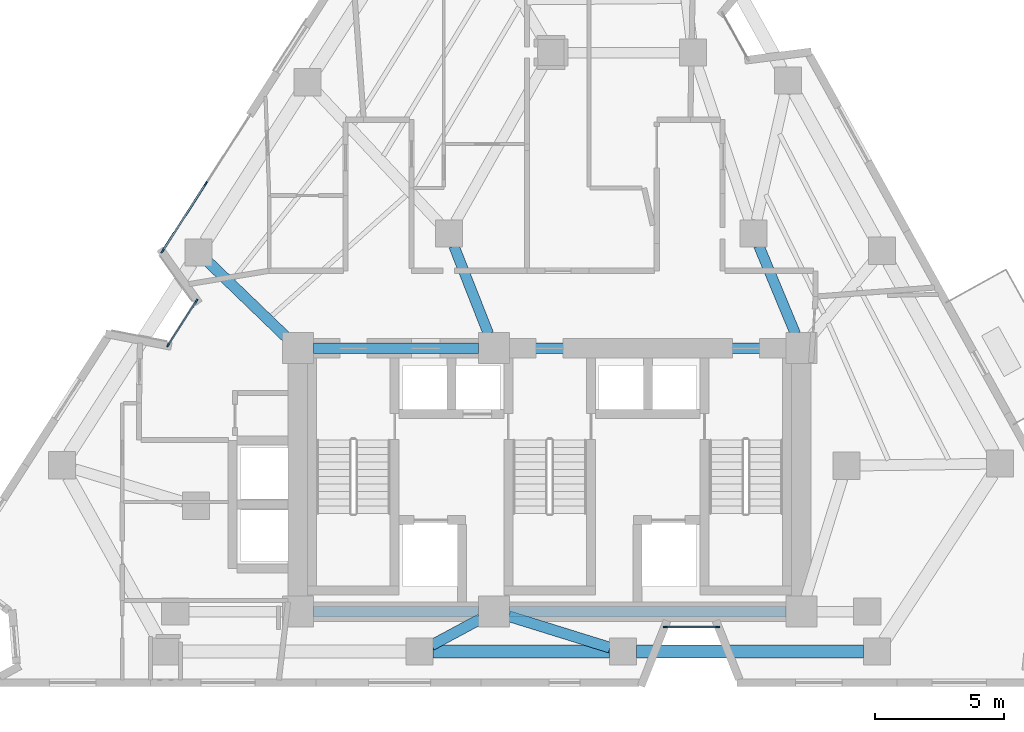
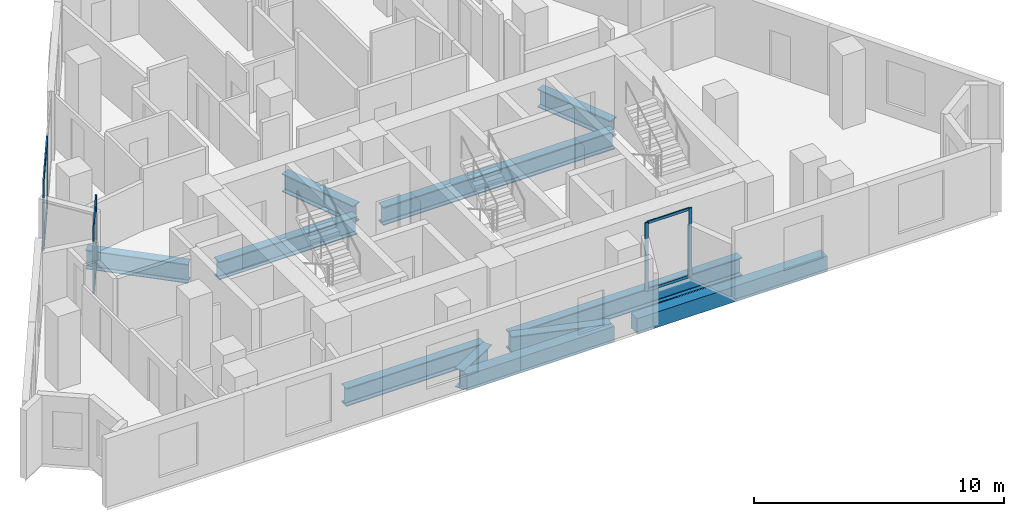
# One storey, part 2 of 11: 12 members, 11 beams, 3 elements without a shape of their own.
"""IFC4 building model written with IfcOpenShell, lengths in metres."""

from ifc_helpers import new_model, si_unit, direction, frame, origin, origin_2d, place, context, subcontext, project, spatial, rectangle, i_section, extrude, material, layer, layer_set, material_profile, profile_set, type_object, element, aggregate, save


model = new_model("IFC4")

# Units and contexts
model_context = context("Model", 3, precision=1e-05, world=origin(), true_north=direction((0.0, 1.0)))
body_context = subcontext(model_context, "Body", "Model", "MODEL_VIEW")
ifc_project = project(units=[si_unit("LENGTHUNIT", "METRE"), si_unit("AREAUNIT", "SQUARE_METRE"), si_unit("VOLUMEUNIT", "CUBIC_METRE"), si_unit("PLANEANGLEUNIT", "RADIAN"), si_unit("MASSUNIT", "GRAM", prefix="KILO")], contexts=[model_context])

# Site, building, storey
site_placement = place(None, origin())
site = spatial("IfcSite", under=ifc_project, at=site_placement, CompositionType="ELEMENT")
building_placement = place(site_placement, origin())
building = spatial("IfcBuilding", under=site, at=building_placement, Name="Almagre Mirador Tower", CompositionType="ELEMENT")
storey_placement = place(building_placement, frame((0.0, 0.0, 157.199951171875)))
storey = spatial("IfcBuildingStorey", under=building, at=storey_placement, Name="L40", CompositionType="ELEMENT", Elevation=157.199951171875)

# Beams
ifc_material_1 = material(Name="Precast concrete C50/60", Category="concrete")
ifc_material_profile_1 = material_profile(ifc_material_1, rectangle(XDim=0.5, YDim=0.75, at=origin_2d()), Name="RC500X750")
ifc_profile_set_1 = profile_set([ifc_material_profile_1], Name="Precast concrete C50/60")
beam_type_1 = type_object("IfcBeamType", Name="BM-SPN-RC500X750", PredefinedType="SPANDREL", material=ifc_profile_set_1)
beam_1_placement = place(storey_placement, frame((32.7890625, 3.0, -0.625), z_axis=(1.0, 0.0, 0.0), x_axis=(0.0, 1.0, 0.0)))
element("IfcBeam", 1, at=beam_1_placement, inside=storey, type_object=beam_type_1, Name="L40 perimeter spandrel beam PC02-PC03", PredefinedType="SPANDREL", context=body_context, shape_type="SweptSolid", body=[
    extrude(rectangle(XDim=0.5, YDim=0.75, at=origin_2d()), origin(), (0.0, 0.0, 1.0), 6.822021484375),
])
beam_2_placement = place(storey_placement, frame((40.660888671875, 3.0, -0.625), z_axis=(1.0, 0.0, 0.0), x_axis=(0.0, 1.0, 0.0)))
element("IfcBeam", 2, at=beam_2_placement, inside=storey, type_object=beam_type_1, Name="L40 perimeter spandrel beam PC03-PC04", PredefinedType="SPANDREL", context=body_context, shape_type="SweptSolid", body=[
    extrude(rectangle(XDim=0.5, YDim=0.75, at=origin_2d()), origin(), (0.0, 0.0, 1.0), 8.7900390625),
])
ifc_material_2 = material(Name="Steel ASTM A992 Grade 50", Category="steel")
ifc_material_profile_2 = material_profile(ifc_material_2, i_section(OverallWidth=0.404052734375, OverallDepth=0.884033203125, WebThickness=0.0244140625, FlangeThickness=0.0439453125, FilletRadius=0.02490234375, at=origin_2d()), Name="W33X291")
ifc_profile_set_2 = profile_set([ifc_material_profile_2], Name="Steel ASTM A992 Grade 50")
beam_type_2 = type_object("IfcBeamType", Name="BM-STL-W33X291", PredefinedType="BEAM", material=ifc_profile_set_2)
beam_3_placement = place(storey_placement, frame((28.14990234375, 4.550048828125, -0.69189453125), z_axis=(1.0, 0.0, 0.0), x_axis=(0.0, 1.0, 0.0)))
element("IfcBeam", 3, at=beam_3_placement, inside=storey, type_object=beam_type_2, Name="L40 core tie girder CC1-CC2", PredefinedType="BEAM", context=body_context, shape_type="SweptSolid", body=[
    extrude(i_section(OverallWidth=0.404052734375, OverallDepth=0.884033203125, WebThickness=0.0244140625, FlangeThickness=0.0439453125, FilletRadius=0.02490234375, at=origin_2d()), origin(), (0.0, 0.0, 1.0), 6.400146484375),
])
beam_4_placement = place(storey_placement, frame((35.75, 4.550048828125, -0.69189453125), z_axis=(1.0, 0.0, 0.0), x_axis=(0.0, 1.0, 0.0)))
element("IfcBeam", 4, at=beam_4_placement, inside=storey, type_object=beam_type_2, Name="L40 core tie girder CC2-CC3", PredefinedType="BEAM", context=body_context, shape_type="SweptSolid", body=[
    extrude(i_section(OverallWidth=0.404052734375, OverallDepth=0.884033203125, WebThickness=0.0244140625, FlangeThickness=0.0439453125, FilletRadius=0.02490234375, at=origin_2d()), origin(), (0.0, 0.0, 1.0), 10.699951171875),
])
beam_5_placement = place(storey_placement, frame((28.14990234375, 14.75, -0.69189453125), z_axis=(1.0, 0.0, 0.0), x_axis=(0.0, 1.0, 0.0)))
element("IfcBeam", 5, at=beam_5_placement, inside=storey, type_object=beam_type_2, Name="L40 core tie girder CC4-CC5", PredefinedType="BEAM", context=body_context, shape_type="SweptSolid", body=[
    extrude(i_section(OverallWidth=0.404052734375, OverallDepth=0.884033203125, WebThickness=0.0244140625, FlangeThickness=0.0439453125, FilletRadius=0.02490234375, at=origin_2d()), origin(), (0.0, 0.0, 1.0), 6.400146484375),
])
beam_6_placement = place(storey_placement, frame((35.75, 14.75, -0.69189453125), z_axis=(1.0, 0.0, 0.0), x_axis=(0.0, 1.0, 0.0)))
element("IfcBeam", 6, at=beam_6_placement, inside=storey, type_object=beam_type_2, Name="L40 core tie girder CC5-CC6", PredefinedType="BEAM", context=body_context, shape_type="SweptSolid", body=[
    extrude(i_section(OverallWidth=0.404052734375, OverallDepth=0.884033203125, WebThickness=0.0244140625, FlangeThickness=0.0439453125, FilletRadius=0.02490234375, at=origin_2d()), origin(), (0.0, 0.0, 1.0), 10.699951171875),
])
beam_7_placement = place(storey_placement, frame((45.401611328125, 18.715087890625, -0.69189453125), z_axis=(0.383845645019, -0.923397271384, 0.0), x_axis=(0.923397271384, 0.383845645019, 0.0)))
element("IfcBeam", 7, at=beam_7_placement, inside=storey, type_object=beam_type_2, Name="L40 core tie girder MC5-CC6", PredefinedType="BEAM", context=body_context, shape_type="SweptSolid", body=[
    extrude(i_section(OverallWidth=0.404052734375, OverallDepth=0.884033203125, WebThickness=0.0244140625, FlangeThickness=0.0439453125, FilletRadius=0.02490234375, at=origin_2d()), origin(), (0.0, 0.0, 1.0), 3.694091796875),
])
beam_8_placement = place(storey_placement, frame((33.592041015625, 18.71142578125, -0.69189453125), z_axis=(0.365997304164, -0.930615910752, 0.0), x_axis=(0.930615910752, 0.365997304164, 0.0)))
element("IfcBeam", 8, at=beam_8_placement, inside=storey, type_object=beam_type_2, Name="L40 core tie girder MC8-CC5", PredefinedType="BEAM", context=body_context, shape_type="SweptSolid", body=[
    extrude(i_section(OverallWidth=0.404052734375, OverallDepth=0.884033203125, WebThickness=0.0244140625, FlangeThickness=0.0439453125, FilletRadius=0.02490234375, at=origin_2d()), origin(), (0.0, 0.0, 1.0), 3.65673828125),
])
ifc_material_3 = material(Name="Steel ASTM A992 Grade 50", Category="steel")
ifc_material_profile_3 = material_profile(ifc_material_3, i_section(OverallWidth=0.41796875, OverallDepth=0.927001953125, WebThickness=0.019287109375, FlangeThickness=0.031982421875, FilletRadius=0.028076171875, at=origin_2d()), Name="W36X231")
ifc_profile_set_3 = profile_set([ifc_material_profile_3], Name="Steel ASTM A992 Grade 50")
beam_type_3 = type_object("IfcBeamType", Name="BM-STL-W36X231", PredefinedType="BEAM", material=ifc_profile_set_3)
beam_9_placement = place(storey_placement, frame((32.7265625, 3.248291015625, -0.71337890625), z_axis=(0.880944482784, 0.473219630038, 0.0), x_axis=(-0.473219630038, 0.880944482784, 0.0)))
element("IfcBeam", 9, at=beam_9_placement, inside=storey, type_object=beam_type_3, Name="L40 radial floor girder PC02-CC2", PredefinedType="BEAM", context=body_context, shape_type="SweptSolid", body=[
    extrude(i_section(OverallWidth=0.41796875, OverallDepth=0.927001953125, WebThickness=0.019287109375, FlangeThickness=0.031982421875, FilletRadius=0.028076171875, at=origin_2d()), origin(), (0.0, 0.0, 1.0), 2.15087890625),
])
beam_10_placement = place(storey_placement, frame((39.634765625, 3.15576171875, -0.71337890625), z_axis=(-0.954923245633, 0.296852816982, 0.0), x_axis=(-0.296852816982, -0.954923245633, 0.0)))
element("IfcBeam", 10, at=beam_10_placement, inside=storey, type_object=beam_type_3, Name="L40 radial floor girder PC03-CC2", PredefinedType="BEAM", context=body_context, shape_type="SweptSolid", body=[
    extrude(i_section(OverallWidth=0.41796875, OverallDepth=0.927001953125, WebThickness=0.019287109375, FlangeThickness=0.031982421875, FilletRadius=0.028076171875, at=origin_2d()), origin(), (0.0, 0.0, 1.0), 4.096435546875),
])
beam_11_placement = place(storey_placement, frame((24.076416015625, 18.093017578125, -0.71337890625), z_axis=(0.720511778148, -0.693442699544, 0.0), x_axis=(0.693442699544, 0.720511778148, 0.0)))
element("IfcBeam", 11, at=beam_11_placement, inside=storey, type_object=beam_type_3, Name="L40 radial floor girder PC11-CC4", PredefinedType="BEAM", context=body_context, shape_type="SweptSolid", body=[
    extrude(i_section(OverallWidth=0.41796875, OverallDepth=0.927001953125, WebThickness=0.019287109375, FlangeThickness=0.031982421875, FilletRadius=0.028076171875, at=origin_2d()), origin(), (0.0, 0.0, 1.0), 4.220947265625),
])

# Curtain wall, members
ifc_material_4 = material(Name="Black anodized aluminium", Category="aluminium")
ifc_layer_1 = layer(ifc_material_4, 0.169921875)
ifc_layer_set_1 = layer_set([ifc_layer_1], Name="Black anodized aluminium")
curtain_wall_type_1 = type_object("IfcCurtainWallType", Name="CW-CRS-SYS", PredefinedType="NOTDEFINED", material=ifc_layer_set_1)
curtain_wall_1_placement = place(storey_placement, origin())
curtain_wall_1 = element("IfcCurtainWall", 12, at=curtain_wall_1_placement, inside=storey, type_object=curtain_wall_type_1, Name="L40 vertical crease curtain wall 01", PredefinedType="NOTDEFINED")
ifc_material_5 = material(Name="Black anodized aluminium", Category="aluminium")
ifc_material_profile_4 = material_profile(ifc_material_5, rectangle(XDim=0.06005859375, YDim=0.14990234375, at=origin_2d()), Name="CWM60X150")
ifc_profile_set_4 = profile_set([ifc_material_profile_4], Name="Black anodized aluminium")
member_type_1 = type_object("IfcMemberType", Name="MBR-CWM60X150", PredefinedType="MULLION", material=ifc_profile_set_4)
member_1_placement = place(storey_placement, frame((22.529296875, 14.871337890625, 0.0), z_axis=(0.0, 0.0, 1.0), x_axis=(-0.841923718176, 0.539596564827, 0.0)))
member_1 = element("IfcMember", 13, at=member_1_placement, type_object=member_type_1, Name="CW-4 mullion 1", PredefinedType="MULLION", context=body_context, shape_type="SweptSolid", body=[
    extrude(rectangle(XDim=0.06005859375, YDim=0.14990234375, at=origin_2d()), origin(), (0.0, 0.0, 1.0), 3.35009765625),
])
member_2_placement = place(storey_placement, frame((23.624755859375, 16.580810546875, 0.0), z_axis=(0.0, 0.0, 1.0), x_axis=(-0.841923718176, 0.539596564827, 0.0)))
member_2 = element("IfcMember", 14, at=member_2_placement, type_object=member_type_1, Name="CW-4 mullion 2", PredefinedType="MULLION", context=body_context, shape_type="SweptSolid", body=[
    extrude(rectangle(XDim=0.06005859375, YDim=0.14990234375, at=origin_2d()), origin(), (0.0, 0.0, 1.0), 3.35009765625),
])

curtain_wall_2_placement = place(storey_placement, origin())
curtain_wall_2 = element("IfcCurtainWall", 15, at=curtain_wall_2_placement, inside=storey, type_object=curtain_wall_type_1, Name="L40 vertical crease curtain wall 04", PredefinedType="NOTDEFINED")
member_3_placement = place(storey_placement, frame((43.806884765625, 3.949951171875, 0.0), z_axis=(0.0, 0.0, 1.0), x_axis=(0.0, -1.0, 0.0)))
member_3 = element("IfcMember", 16, at=member_3_placement, type_object=member_type_1, Name="CW-4 mullion 1", PredefinedType="MULLION", context=body_context, shape_type="SweptSolid", body=[
    extrude(rectangle(XDim=0.06005859375, YDim=0.14990234375, at=origin_2d()), origin(), (0.0, 0.0, 1.0), 3.35009765625),
])
member_4_placement = place(storey_placement, frame((41.777099609375, 3.949951171875, 0.0), z_axis=(0.0, 0.0, 1.0), x_axis=(0.0, -1.0, 0.0)))
member_4 = element("IfcMember", 17, at=member_4_placement, type_object=member_type_1, Name="CW-4 mullion 2", PredefinedType="MULLION", context=body_context, shape_type="SweptSolid", body=[
    extrude(rectangle(XDim=0.06005859375, YDim=0.14990234375, at=origin_2d()), origin(), (0.0, 0.0, 1.0), 3.35009765625),
])

ifc_material_6 = material(Name="Black anodized aluminium", Category="aluminium")
ifc_layer_2 = layer(ifc_material_6, 0.199951171875)
ifc_layer_set_2 = layer_set([ifc_layer_2], Name="Black anodized aluminium")
curtain_wall_type_2 = type_object("IfcCurtainWallType", Name="CW-RES-H-SYS", PredefinedType="NOTDEFINED", material=ifc_layer_set_2)
curtain_wall_3_placement = place(storey_placement, origin())
curtain_wall_3 = element("IfcCurtainWall", 18, at=curtain_wall_3_placement, inside=storey, type_object=curtain_wall_type_2, Name="L40 curtain wall run 02", PredefinedType="NOTDEFINED")
ifc_material_7 = material(Name="Black anodized aluminium", Category="aluminium")
ifc_material_profile_5 = material_profile(ifc_material_7, rectangle(XDim=0.06494140625, YDim=0.179931640625, at=origin_2d()), Name="CWM65X180")
ifc_profile_set_5 = profile_set([ifc_material_profile_5], Name="Black anodized aluminium")
member_type_2 = type_object("IfcMemberType", Name="MBR-CWM65X180", PredefinedType="MULLION", material=ifc_profile_set_5)
member_5_placement = place(storey_placement, frame((22.3095703125, 18.512451171875, 0.0), z_axis=(0.0, 0.0, 1.0), x_axis=(-0.841981168669, 0.539506915253, 0.0)))
member_5 = element("IfcMember", 19, at=member_5_placement, type_object=member_type_2, Name="CW-3 mullion 1", PredefinedType="MULLION", context=body_context, shape_type="SweptSolid", body=[
    extrude(rectangle(XDim=0.06494140625, YDim=0.179931640625, at=origin_2d()), origin(), (0.0, 0.0, 1.0), 3.35009765625),
])
member_6_placement = place(storey_placement, frame((23.98583984375, 21.12841796875, 0.0), z_axis=(0.0, 0.0, 1.0), x_axis=(-0.841981168669, 0.539506915253, 0.0)))
member_6 = element("IfcMember", 20, at=member_6_placement, type_object=member_type_2, Name="CW-3 mullion 2", PredefinedType="MULLION", context=body_context, shape_type="SweptSolid", body=[
    extrude(rectangle(XDim=0.06494140625, YDim=0.179931640625, at=origin_2d()), origin(), (0.0, 0.0, 1.0), 3.35009765625),
])

# Member
ifc_material_8 = material(Name="Black anodized aluminium", Category="aluminium")
ifc_material_profile_6 = material_profile(ifc_material_8, rectangle(XDim=0.06005859375, YDim=0.1298828125, at=origin_2d()), Name="CWT60X130")
ifc_profile_set_6 = profile_set([ifc_material_profile_6], Name="Black anodized aluminium")
member_type_3 = type_object("IfcMemberType", Name="MBR-CWT60X130", PredefinedType="USERDEFINED", material=ifc_profile_set_6)
member_7_placement = place(storey_placement, frame((22.54541015625, 14.896484375, 0.030029296875), z_axis=(0.539598560897, 0.841922438873, 0.0), x_axis=(-0.841922438873, 0.539598560897, 0.0)))
member_7 = element("IfcMember", 21, at=member_7_placement, type_object=member_type_3, Name="CW-4 transom 1.1", ObjectType="TRANSOM", PredefinedType="USERDEFINED", context=body_context, shape_type="SweptSolid", body=[
    extrude(rectangle(XDim=0.06005859375, YDim=0.1298828125, at=origin_2d()), origin(), (0.0, 0.0, 1.0), 1.970458984375),
])

member_8_placement = place(storey_placement, frame((22.54541015625, 14.896484375, 3.320068359375), z_axis=(0.539598560897, 0.841922438873, 0.0), x_axis=(-0.841922438873, 0.539598560897, 0.0)))
member_8 = element("IfcMember", 22, at=member_8_placement, type_object=member_type_3, Name="CW-4 transom 1.2", ObjectType="TRANSOM", PredefinedType="USERDEFINED", context=body_context, shape_type="SweptSolid", body=[
    extrude(rectangle(XDim=0.06005859375, YDim=0.1298828125, at=origin_2d()), origin(), (0.0, 0.0, 1.0), 1.970458984375),
])

aggregate(curtain_wall_1, [member_1, member_2, member_7, member_8])

member_9_placement = place(storey_placement, frame((43.777099609375, 3.949951171875, 0.030029296875), z_axis=(-1.0, 0.0, 0.0), x_axis=(0.0, -1.0, 0.0)))
member_9 = element("IfcMember", 23, at=member_9_placement, type_object=member_type_3, Name="CW-4 transom 1.1", ObjectType="TRANSOM", PredefinedType="USERDEFINED", context=body_context, shape_type="SweptSolid", body=[
    extrude(rectangle(XDim=0.06005859375, YDim=0.1298828125, at=origin_2d()), origin(), (0.0, 0.0, 1.0), 1.97021484375),
])

member_10_placement = place(storey_placement, frame((43.777099609375, 3.949951171875, 3.320068359375), z_axis=(-1.0, 0.0, 0.0), x_axis=(0.0, -1.0, 0.0)))
member_10 = element("IfcMember", 24, at=member_10_placement, type_object=member_type_3, Name="CW-4 transom 1.2", ObjectType="TRANSOM", PredefinedType="USERDEFINED", context=body_context, shape_type="SweptSolid", body=[
    extrude(rectangle(XDim=0.06005859375, YDim=0.1298828125, at=origin_2d()), origin(), (0.0, 0.0, 1.0), 1.97021484375),
])

aggregate(curtain_wall_2, [member_3, member_4, member_9, member_10])

ifc_material_9 = material(Name="Black anodized aluminium", Category="aluminium")
ifc_material_profile_7 = material_profile(ifc_material_9, rectangle(XDim=0.06494140625, YDim=0.14990234375, at=origin_2d()), Name="CWT65X150")
ifc_profile_set_7 = profile_set([ifc_material_profile_7], Name="Black anodized aluminium")
member_type_4 = type_object("IfcMemberType", Name="MBR-CWT65X150", PredefinedType="USERDEFINED", material=ifc_profile_set_7)
member_11_placement = place(storey_placement, frame((22.3271484375, 18.539794921875, 0.032470703125), z_axis=(0.539495452164, 0.841988513635, 0.0), x_axis=(-0.841988513635, 0.539495452164, 0.0)))
member_11 = element("IfcMember", 25, at=member_11_placement, type_object=member_type_4, Name="CW-3 transom 1.1", ObjectType="TRANSOM", PredefinedType="USERDEFINED", context=body_context, shape_type="SweptSolid", body=[
    extrude(rectangle(XDim=0.06494140625, YDim=0.14990234375, at=origin_2d()), origin(), (0.0, 0.0, 1.0), 3.0419921875),
])

member_12_placement = place(storey_placement, frame((22.3271484375, 18.539794921875, 3.317626953125), z_axis=(0.539495452164, 0.841988513635, 0.0), x_axis=(-0.841988513635, 0.539495452164, 0.0)))
member_12 = element("IfcMember", 26, at=member_12_placement, type_object=member_type_4, Name="CW-3 transom 1.2", ObjectType="TRANSOM", PredefinedType="USERDEFINED", context=body_context, shape_type="SweptSolid", body=[
    extrude(rectangle(XDim=0.06494140625, YDim=0.14990234375, at=origin_2d()), origin(), (0.0, 0.0, 1.0), 3.0419921875),
])

aggregate(curtain_wall_3, [member_5, member_6, member_11, member_12])

save(model, "model.ifc")
